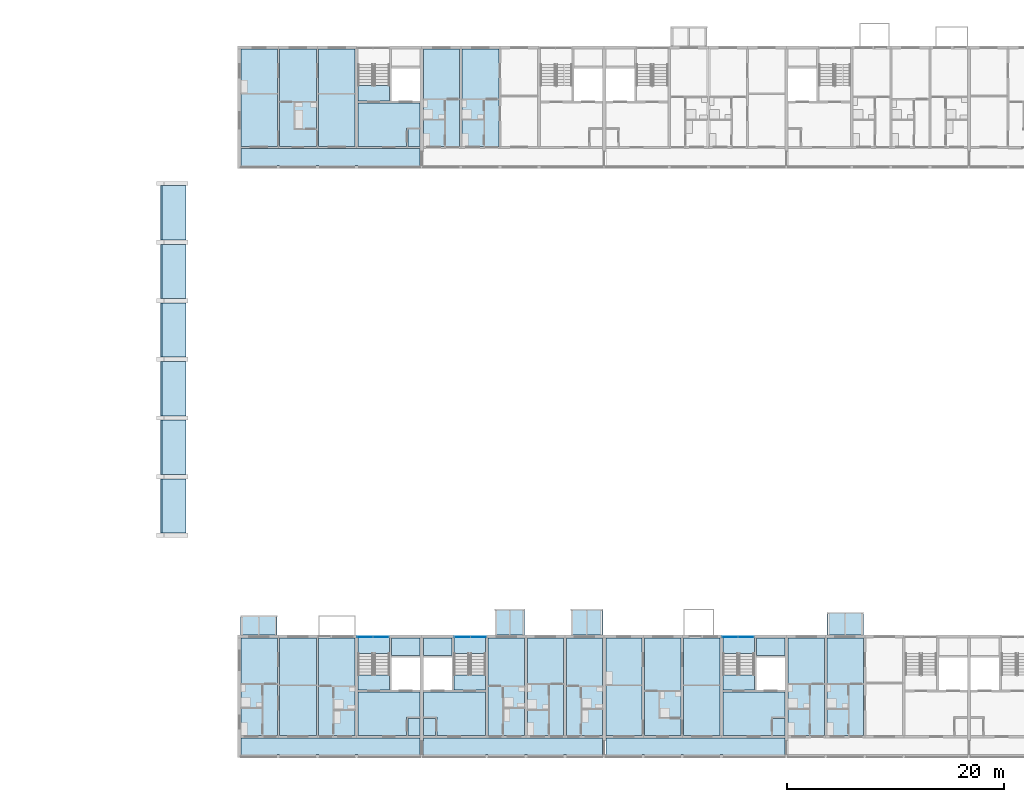
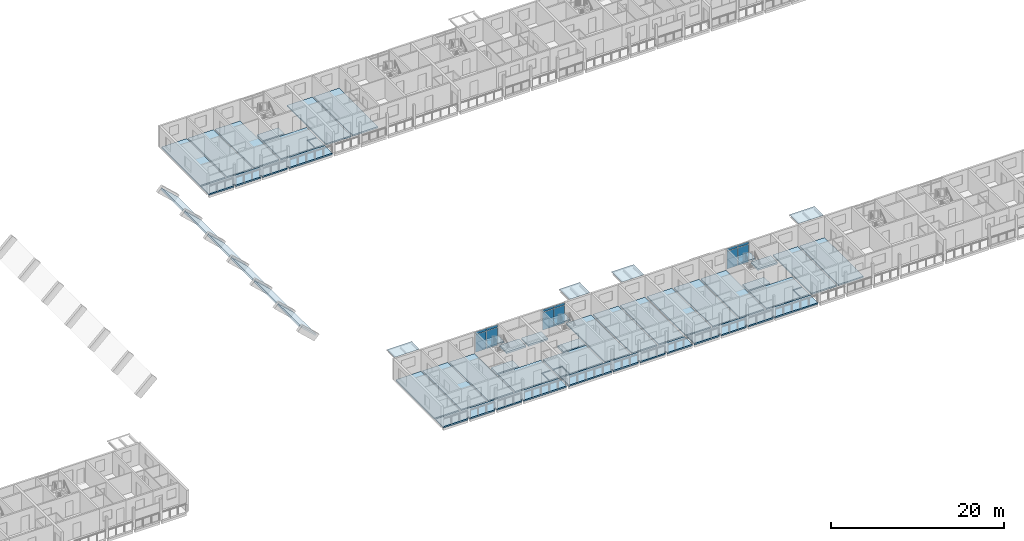
# One storey, part 27 of 98: 48 slabs, 12 plates, 6 elements without a shape of their own.
"""IFC4 building model written with IfcOpenShell, lengths in metres."""

from ifc_helpers import new_model, si_unit, direction, frame, origin, origin_2d, place, context, subcontext, project, spatial, polyline, rectangle, outline, extrude, material, layer, layer_set, type_object, element, aggregate, save


model = new_model("IFC4")

# Units and contexts
model_context = context("Model", 3, precision=1e-05, world=origin(), true_north=direction((0.0, 1.0)))
body_context = subcontext(model_context, "Body", "Model", "MODEL_VIEW")
ifc_project = project(units=[si_unit("LENGTHUNIT", "METRE"), si_unit("AREAUNIT", "SQUARE_METRE"), si_unit("VOLUMEUNIT", "CUBIC_METRE"), si_unit("PLANEANGLEUNIT", "RADIAN"), si_unit("MASSUNIT", "GRAM", prefix="KILO")], contexts=[model_context])

# Site, building, storey
site_placement = place(None, origin())
site = spatial("IfcSite", under=ifc_project, at=site_placement, CompositionType="ELEMENT")
building_placement = place(site_placement, origin())
building = spatial("IfcBuilding", under=site, at=building_placement, Name="Ridgestep Commons", CompositionType="ELEMENT")
storey_placement = place(building_placement, frame((0.0, 0.0, 12.0)))
storey = spatial("IfcBuildingStorey", under=building, at=storey_placement, Name="L04", CompositionType="ELEMENT", Elevation=12.0)

# Slabs
ifc_material_1 = material(Name="Precast concrete C40/50", Category="concrete")
ifc_layer_1 = layer(ifc_material_1, 0.199951171875)
ifc_layer_set_1 = layer_set([ifc_layer_1], Name="Gallery slab 200")
slab_type_1 = type_object("IfcSlabType", Name="Gallery slab 200", PredefinedType="FLOOR", material=ifc_layer_set_1)
slab_1_placement = place(storey_placement, frame((0.0, 0.0, -0.199951171875)))
element("IfcSlab", 1, at=slab_1_placement, inside=storey, type_object=slab_type_1, Name="Gallery slab C1 L04", PredefinedType="FLOOR", context=body_context, shape_type="SweptSolid", body=[
    extrude(outline(polyline([(163.449951171875, 67.800048828125), (146.949951171875, 67.800048828125), (146.949951171875, 66.0), (150.27490234375, 66.0), (150.27490234375, 66.25), (150.52490234375, 66.25), (150.52490234375, 66.0), (153.875, 66.0), (153.875, 66.25), (154.125, 66.25), (154.125, 66.0), (157.47509765625, 66.0), (157.47509765625, 66.25), (157.72509765625, 66.25), (157.72509765625, 66.0), (163.449951171875, 66.0), (163.449951171875, 67.800048828125)])), origin(), (0.0, 0.0, 1.0), 0.199951171875),
])
slab_2_placement = place(storey_placement, frame((0.0, 0.0, -0.199951171875)))
element("IfcSlab", 2, at=slab_2_placement, inside=storey, type_object=slab_type_1, Name="Gallery slab D1 L04", PredefinedType="FLOOR", context=body_context, shape_type="SweptSolid", body=[
    extrude(outline(polyline([(163.449951171875, 13.550048828125), (146.949951171875, 13.550048828125), (146.949951171875, 11.75), (150.27490234375, 11.75), (150.27490234375, 12.0), (150.52490234375, 12.0), (150.52490234375, 11.75), (153.875, 11.75), (153.875, 12.0), (154.125, 12.0), (154.125, 11.75), (157.47509765625, 11.75), (157.47509765625, 12.0), (157.72509765625, 12.0), (157.72509765625, 11.75), (163.449951171875, 11.75), (163.449951171875, 13.550048828125)])), origin(), (0.0, 0.0, 1.0), 0.199951171875),
])
slab_3_placement = place(storey_placement, frame((0.0, 0.0, -0.199951171875)))
element("IfcSlab", 3, at=slab_3_placement, inside=storey, type_object=slab_type_1, Name="Gallery slab D2 L04", PredefinedType="FLOOR", context=body_context, shape_type="SweptSolid", body=[
    extrude(outline(polyline([(180.25, 13.550048828125), (163.75, 13.550048828125), (163.75, 11.75), (169.47509765625, 11.75), (169.47509765625, 12.0), (169.72509765625, 12.0), (169.72509765625, 11.75), (173.074951171875, 11.75), (173.074951171875, 12.0), (173.324951171875, 12.0), (173.324951171875, 11.75), (176.675048828125, 11.75), (176.675048828125, 12.0), (176.925048828125, 12.0), (176.925048828125, 11.75), (180.25, 11.75), (180.25, 13.550048828125)])), origin(), (0.0, 0.0, 1.0), 0.199951171875),
])
slab_4_placement = place(storey_placement, frame((0.0, 0.0, -0.199951171875)))
element("IfcSlab", 4, at=slab_4_placement, inside=storey, type_object=slab_type_1, Name="Gallery slab D3 L04", PredefinedType="FLOOR", context=body_context, shape_type="SweptSolid", body=[
    extrude(outline(polyline([(197.050048828125, 13.550048828125), (180.550048828125, 13.550048828125), (180.550048828125, 11.75), (183.875, 11.75), (183.875, 12.0), (184.125, 12.0), (184.125, 11.75), (187.47509765625, 11.75), (187.47509765625, 12.0), (187.72509765625, 12.0), (187.72509765625, 11.75), (191.074951171875, 11.75), (191.074951171875, 12.0), (191.324951171875, 12.0), (191.324951171875, 11.75), (197.050048828125, 11.75), (197.050048828125, 13.550048828125)])), origin(), (0.0, 0.0, 1.0), 0.199951171875),
])

# Curtain wall, plates
ifc_material_2 = material(Name="Aluminium 6063-T6 and glass", Category="aluminium")
curtain_wall_type = type_object("IfcCurtainWallType", Name="Curtain wall stair strip", PredefinedType="NOTDEFINED", material=ifc_material_2)
curtain_wall_1_placement = place(storey_placement, origin())
curtain_wall_1 = element("IfcCurtainWall", 5, at=curtain_wall_1_placement, inside=storey, type_object=curtain_wall_type, Name="Curtain wall D1C level 04", PredefinedType="NOTDEFINED")
ifc_material_3 = material(Name="Glass laminated 6/16/6 low-emissivity", Category="glass")
ifc_layer_2 = layer(ifc_material_3, 0.028076171875)
ifc_layer_set_2 = layer_set([ifc_layer_2], Name="Glazing panel 28")
plate_type_1 = type_object("IfcPlateType", Name="Glazing panel 28", PredefinedType="CURTAIN_PANEL", material=ifc_layer_set_2)
plate_1_placement = place(storey_placement, frame((158.371337890625, 22.830078125, 0.06005859375), z_axis=(0.0, 0.0, 1.0), x_axis=(1.0, 0.0, 0.0)))
plate_1 = element("IfcPlate", 6, at=plate_1_placement, type_object=plate_type_1, Name="CW1 panel 1.1", PredefinedType="CURTAIN_PANEL", context=body_context, shape_type="SweptSolid", body=[
    extrude(rectangle(XDim=1.422607421875, YDim=0.028076171875, at=origin_2d()), origin(), (0.0, 0.0, 1.0), 2.5),
])
plate_2_placement = place(storey_placement, frame((159.853759765625, 22.830078125, 0.06005859375), z_axis=(0.0, 0.0, 1.0), x_axis=(1.0, 0.0, 0.0)))
plate_2 = element("IfcPlate", 7, at=plate_2_placement, type_object=plate_type_1, Name="CW1 panel 2.1", PredefinedType="CURTAIN_PANEL", context=body_context, shape_type="SweptSolid", body=[
    extrude(rectangle(XDim=1.422607421875, YDim=0.028076171875, at=origin_2d()), origin(), (0.0, 0.0, 1.0), 2.5),
])

curtain_wall_2_placement = place(storey_placement, origin())
curtain_wall_2 = element("IfcCurtainWall", 8, at=curtain_wall_2_placement, inside=storey, type_object=curtain_wall_type, Name="Curtain wall D2C level 04", PredefinedType="NOTDEFINED")
plate_3_placement = place(storey_placement, frame((167.34619140625, 22.830078125, 0.06005859375), z_axis=(0.0, 0.0, 1.0), x_axis=(1.0, 0.0, 0.0)))
plate_3 = element("IfcPlate", 9, at=plate_3_placement, type_object=plate_type_1, Name="CW1 panel 1.1", PredefinedType="CURTAIN_PANEL", context=body_context, shape_type="SweptSolid", body=[
    extrude(rectangle(XDim=1.422607421875, YDim=0.028076171875, at=origin_2d()), origin(), (0.0, 0.0, 1.0), 2.5),
])
plate_4_placement = place(storey_placement, frame((168.828857421875, 22.830078125, 0.06005859375), z_axis=(0.0, 0.0, 1.0), x_axis=(1.0, 0.0, 0.0)))
plate_4 = element("IfcPlate", 10, at=plate_4_placement, type_object=plate_type_1, Name="CW1 panel 2.1", PredefinedType="CURTAIN_PANEL", context=body_context, shape_type="SweptSolid", body=[
    extrude(rectangle(XDim=1.422607421875, YDim=0.028076171875, at=origin_2d()), origin(), (0.0, 0.0, 1.0), 2.5),
])

curtain_wall_3_placement = place(storey_placement, origin())
curtain_wall_3 = element("IfcCurtainWall", 11, at=curtain_wall_3_placement, inside=storey, type_object=curtain_wall_type, Name="Curtain wall D3C level 04", PredefinedType="NOTDEFINED")
plate_5_placement = place(storey_placement, frame((191.97119140625, 22.830078125, 0.06005859375), z_axis=(0.0, 0.0, 1.0), x_axis=(1.0, 0.0, 0.0)))
plate_5 = element("IfcPlate", 12, at=plate_5_placement, type_object=plate_type_1, Name="CW1 panel 1.1", PredefinedType="CURTAIN_PANEL", context=body_context, shape_type="SweptSolid", body=[
    extrude(rectangle(XDim=1.422607421875, YDim=0.028076171875, at=origin_2d()), origin(), (0.0, 0.0, 1.0), 2.5),
])
plate_6_placement = place(storey_placement, frame((193.453857421875, 22.830078125, 0.06005859375), z_axis=(0.0, 0.0, 1.0), x_axis=(1.0, 0.0, 0.0)))
plate_6 = element("IfcPlate", 13, at=plate_6_placement, type_object=plate_type_1, Name="CW1 panel 2.1", PredefinedType="CURTAIN_PANEL", context=body_context, shape_type="SweptSolid", body=[
    extrude(rectangle(XDim=1.422607421875, YDim=0.028076171875, at=origin_2d()), origin(), (0.0, 0.0, 1.0), 2.5),
])

# Slabs
ifc_material_4 = material(Name="Precast concrete C50/60", Category="concrete")
ifc_layer_3 = layer(ifc_material_4, 0.199951171875)
ifc_layer_set_3 = layer_set([ifc_layer_3], Name="Hall roof plank 200")
slab_type_2 = type_object("IfcSlabType", Name="Hall roof plank 200", PredefinedType="ROOF", material=ifc_layer_set_3)
for number, where, z_axis, x_axis, name in (
    (14, (139.68701171875, 32.39990234375, 4.385986328125), (0.680984042462, 0.0, 0.732298254751), (0.732298254751, 0.0, -0.680984042462), "Hall barrel vault panel 10"),
    (15, (139.68701171875, 37.800048828125, 4.385986328125), (0.680984042462, 0.0, 0.732298254751), (0.732298254751, 0.0, -0.680984042462), "Hall barrel vault panel 22"),
    (16, (139.68701171875, 43.199951171875, 4.385986328125), (0.680984042462, 0.0, 0.732298254751), (0.732298254751, 0.0, -0.680984042462), "Hall barrel vault panel 34"),
    (17, (139.68701171875, 48.60009765625, 4.385986328125), (0.680984042462, 0.0, 0.732298254751), (0.732298254751, 0.0, -0.680984042462), "Hall barrel vault panel 46"),
    (18, (139.68701171875, 54.0, 4.385986328125), (0.680984042462, 0.0, 0.732298254751), (0.732298254751, 0.0, -0.680984042462), "Hall barrel vault panel 58"),
    (19, (139.68701171875, 59.39990234375, 4.385986328125), (0.680984042462, 0.0, 0.732298254751), (0.732298254751, 0.0, -0.680984042462), "Hall barrel vault panel 70"),
):
    element("IfcSlab", number, at=place(storey_placement, frame(where, z_axis=z_axis, x_axis=x_axis)), inside=storey, type_object=slab_type_2, Name=name, PredefinedType="ROOF", context=body_context, shape_type="SweptSolid", body=[
        extrude(outline(polyline([(0.0, 0.0), (3.021176589449583, 0.0), (3.021176589449583, 5.0), (0.0, 5.0), (0.0, 0.0)])), origin(), (0.0, 0.0, -1.0), 0.199951171875),
    ])
ifc_material_5 = material(Name="Precast concrete C50/60", Category="concrete")
ifc_layer_4 = layer(ifc_material_5, 0.199951171875)
ifc_layer_set_4 = layer_set([ifc_layer_4], Name="Hollow-core plank 200")
slab_type_3 = type_object("IfcSlabType", Name="Hollow-core plank 200", PredefinedType="FLOOR", material=ifc_layer_set_4)
slab_5_placement = place(storey_placement, frame((0.0, 0.0, -0.199951171875)))
element("IfcSlab", 20, at=slab_5_placement, inside=storey, type_object=slab_type_3, Name="Floor plank C1T1 L04", PredefinedType="FLOOR", context=body_context, shape_type="SweptSolid", body=[
    extrude(outline(polyline([(150.300048828125, 68.0), (150.300048828125, 77.0), (146.949951171875, 77.0), (146.949951171875, 68.0), (150.300048828125, 68.0)])), origin(), (0.0, 0.0, 1.0), 0.199951171875),
])
slab_6_placement = place(storey_placement, frame((0.0, 0.0, -0.199951171875)))
element("IfcSlab", 21, at=slab_6_placement, inside=storey, type_object=slab_type_3, Name="Floor plank C1T2 L04", PredefinedType="FLOOR", context=body_context, shape_type="SweptSolid", body=[
    extrude(outline(polyline([(153.89990234375, 68.0), (153.89990234375, 77.0), (150.5, 77.0), (150.5, 68.0), (153.89990234375, 68.0)])), origin(), (0.0, 0.0, 1.0), 0.199951171875),
])
slab_7_placement = place(storey_placement, frame((0.0, 0.0, -0.199951171875)))
element("IfcSlab", 22, at=slab_7_placement, inside=storey, type_object=slab_type_3, Name="Floor plank C1T3 L04", PredefinedType="FLOOR", context=body_context, shape_type="SweptSolid", body=[
    extrude(outline(polyline([(157.47509765625, 68.0), (157.47509765625, 77.0), (154.10009765625, 77.0), (154.10009765625, 68.0), (157.47509765625, 68.0)])), origin(), (0.0, 0.0, 1.0), 0.199951171875),
])
slab_8_placement = place(storey_placement, frame((0.0, 0.0, -0.199951171875)))
element("IfcSlab", 23, at=slab_8_placement, inside=storey, type_object=slab_type_3, Name="Floor plank C2T1 L04", PredefinedType="FLOOR", context=body_context, shape_type="SweptSolid", body=[
    extrude(outline(polyline([(167.10009765625, 68.0), (167.10009765625, 77.0), (163.75, 77.0), (163.75, 68.0), (167.10009765625, 68.0)])), origin(), (0.0, 0.0, 1.0), 0.199951171875),
])
slab_9_placement = place(storey_placement, frame((0.0, 0.0, -0.199951171875)))
element("IfcSlab", 24, at=slab_9_placement, inside=storey, type_object=slab_type_3, Name="Floor plank C2T2 L04", PredefinedType="FLOOR", context=body_context, shape_type="SweptSolid", body=[
    extrude(outline(polyline([(170.699951171875, 68.0), (170.699951171875, 77.0), (167.300048828125, 77.0), (167.300048828125, 68.0), (170.699951171875, 68.0)])), origin(), (0.0, 0.0, 1.0), 0.199951171875),
])
slab_10_placement = place(storey_placement, frame((0.0, 0.0, -0.199951171875)))
element("IfcSlab", 25, at=slab_10_placement, inside=storey, type_object=slab_type_3, Name="Floor plank D1T1 L04", PredefinedType="FLOOR", context=body_context, shape_type="SweptSolid", body=[
    extrude(outline(polyline([(150.300048828125, 13.75), (150.300048828125, 22.75), (146.949951171875, 22.75), (146.949951171875, 13.75), (150.300048828125, 13.75)])), origin(), (0.0, 0.0, 1.0), 0.199951171875),
])
slab_11_placement = place(storey_placement, frame((0.0, 0.0, -0.199951171875)))
element("IfcSlab", 26, at=slab_11_placement, inside=storey, type_object=slab_type_3, Name="Floor plank D1T2 L04", PredefinedType="FLOOR", context=body_context, shape_type="SweptSolid", body=[
    extrude(outline(polyline([(153.89990234375, 13.75), (153.89990234375, 22.75), (150.5, 22.75), (150.5, 13.75), (153.89990234375, 13.75)])), origin(), (0.0, 0.0, 1.0), 0.199951171875),
])
slab_12_placement = place(storey_placement, frame((0.0, 0.0, -0.199951171875)))
element("IfcSlab", 27, at=slab_12_placement, inside=storey, type_object=slab_type_3, Name="Floor plank D1T3 L04", PredefinedType="FLOOR", context=body_context, shape_type="SweptSolid", body=[
    extrude(outline(polyline([(157.47509765625, 13.75), (157.47509765625, 22.75), (154.10009765625, 22.75), (154.10009765625, 13.75), (157.47509765625, 13.75)])), origin(), (0.0, 0.0, 1.0), 0.199951171875),
])
slab_13_placement = place(storey_placement, frame((0.0, 0.0, -0.199951171875)))
element("IfcSlab", 28, at=slab_13_placement, inside=storey, type_object=slab_type_3, Name="Floor plank D2T3 L04", PredefinedType="FLOOR", context=body_context, shape_type="SweptSolid", body=[
    extrude(outline(polyline([(173.074951171875, 13.75), (173.074951171875, 22.75), (169.72509765625, 22.75), (169.72509765625, 13.75), (173.074951171875, 13.75)])), origin(), (0.0, 0.0, 1.0), 0.199951171875),
])
slab_14_placement = place(storey_placement, frame((0.0, 0.0, -0.199951171875)))
element("IfcSlab", 29, at=slab_14_placement, inside=storey, type_object=slab_type_3, Name="Floor plank D2T2 L04", PredefinedType="FLOOR", context=body_context, shape_type="SweptSolid", body=[
    extrude(outline(polyline([(176.675048828125, 13.75), (176.675048828125, 22.75), (173.324951171875, 22.75), (173.324951171875, 13.75), (176.675048828125, 13.75)])), origin(), (0.0, 0.0, 1.0), 0.199951171875),
])
slab_15_placement = place(storey_placement, frame((0.0, 0.0, -0.199951171875)))
element("IfcSlab", 30, at=slab_15_placement, inside=storey, type_object=slab_type_3, Name="Floor plank D2T1 L04", PredefinedType="FLOOR", context=body_context, shape_type="SweptSolid", body=[
    extrude(outline(polyline([(180.25, 13.75), (180.25, 22.75), (176.925048828125, 22.75), (176.925048828125, 13.75), (180.25, 13.75)])), origin(), (0.0, 0.0, 1.0), 0.199951171875),
])
slab_16_placement = place(storey_placement, frame((0.0, 0.0, -0.199951171875)))
element("IfcSlab", 31, at=slab_16_placement, inside=storey, type_object=slab_type_3, Name="Floor plank D3T1 L04", PredefinedType="FLOOR", context=body_context, shape_type="SweptSolid", body=[
    extrude(outline(polyline([(183.875, 13.75), (183.875, 22.75), (180.550048828125, 22.75), (180.550048828125, 13.75), (183.875, 13.75)])), origin(), (0.0, 0.0, 1.0), 0.199951171875),
])
slab_17_placement = place(storey_placement, frame((0.0, 0.0, -0.199951171875)))
element("IfcSlab", 32, at=slab_17_placement, inside=storey, type_object=slab_type_3, Name="Floor plank D3T2 L04", PredefinedType="FLOOR", context=body_context, shape_type="SweptSolid", body=[
    extrude(outline(polyline([(187.47509765625, 13.75), (187.47509765625, 22.75), (184.125, 22.75), (184.125, 13.75), (187.47509765625, 13.75)])), origin(), (0.0, 0.0, 1.0), 0.199951171875),
])
slab_18_placement = place(storey_placement, frame((0.0, 0.0, -0.199951171875)))
element("IfcSlab", 33, at=slab_18_placement, inside=storey, type_object=slab_type_3, Name="Floor plank D3T3 L04", PredefinedType="FLOOR", context=body_context, shape_type="SweptSolid", body=[
    extrude(outline(polyline([(191.074951171875, 13.75), (191.074951171875, 22.75), (187.72509765625, 22.75), (187.72509765625, 13.75), (191.074951171875, 13.75)])), origin(), (0.0, 0.0, 1.0), 0.199951171875),
])
slab_19_placement = place(storey_placement, frame((0.0, 0.0, -0.199951171875)))
element("IfcSlab", 34, at=slab_19_placement, inside=storey, type_object=slab_type_3, Name="Floor plank D4T1 L04", PredefinedType="FLOOR", context=body_context, shape_type="SweptSolid", body=[
    extrude(outline(polyline([(200.675048828125, 13.75), (200.675048828125, 22.75), (197.35009765625, 22.75), (197.35009765625, 13.75), (200.675048828125, 13.75)])), origin(), (0.0, 0.0, 1.0), 0.199951171875),
])
slab_20_placement = place(storey_placement, frame((0.0, 0.0, -0.199951171875)))
element("IfcSlab", 35, at=slab_20_placement, inside=storey, type_object=slab_type_3, Name="Floor plank D4T2 L04", PredefinedType="FLOOR", context=body_context, shape_type="SweptSolid", body=[
    extrude(outline(polyline([(204.27490234375, 13.75), (204.27490234375, 22.75), (200.925048828125, 22.75), (200.925048828125, 13.75), (204.27490234375, 13.75)])), origin(), (0.0, 0.0, 1.0), 0.199951171875),
])
ifc_material_6 = material(Name="Precast concrete C50/60", Category="concrete")
ifc_layer_5 = layer(ifc_material_6, 0.25)
ifc_layer_set_5 = layer_set([ifc_layer_5], Name="Hollow-core plank 250")
slab_type_4 = type_object("IfcSlabType", Name="Hollow-core plank 250", PredefinedType="FLOOR", material=ifc_layer_set_5)
slab_21_placement = place(storey_placement, frame((0.0, 0.0, -0.25)))
element("IfcSlab", 36, at=slab_21_placement, inside=storey, type_object=slab_type_4, Name="Floor plank C1C L04", PredefinedType="FLOOR", context=body_context, shape_type="SweptSolid", body=[
    extrude(outline(polyline([(162.320068359375, 69.719970703125), (163.449951171875, 69.719970703125), (163.449951171875, 72.0), (157.72509765625, 72.0), (157.72509765625, 68.0), (162.199951171875, 68.0), (162.199951171875, 69.719970703125), (162.320068359375, 69.719970703125)])), origin(), (0.0, 0.0, 1.0), 0.25),
])
slab_22_placement = place(storey_placement, frame((0.0, 0.0, -0.25)))
element("IfcSlab", 37, at=slab_22_placement, inside=storey, type_object=slab_type_4, Name="Floor plank C1C L04", PredefinedType="FLOOR", context=body_context, shape_type="SweptSolid", body=[
    extrude(outline(polyline([(160.625, 72.199951171875), (160.625, 73.60009765625), (157.72509765625, 73.60009765625), (157.72509765625, 72.199951171875), (160.625, 72.199951171875)])), origin(), (0.0, 0.0, 1.0), 0.25),
])
slab_23_placement = place(storey_placement, frame((0.0, 0.0, -0.25)))
element("IfcSlab", 38, at=slab_23_placement, inside=storey, type_object=slab_type_4, Name="Floor plank C1C L04", PredefinedType="FLOOR", context=body_context, shape_type="SweptSolid", body=[
    extrude(outline(polyline([(162.320068359375, 68.0), (163.449951171875, 68.0), (163.449951171875, 69.60009765625), (162.320068359375, 69.60009765625), (162.320068359375, 68.0)])), origin(), (0.0, 0.0, 1.0), 0.25),
])
slab_24_placement = place(storey_placement, frame((0.0, 0.0, -0.25)))
element("IfcSlab", 39, at=slab_24_placement, inside=storey, type_object=slab_type_4, Name="Floor plank D1C L04", PredefinedType="FLOOR", context=body_context, shape_type="SweptSolid", body=[
    extrude(outline(polyline([(162.320068359375, 15.469970703125), (163.449951171875, 15.469970703125), (163.449951171875, 17.75), (157.72509765625, 17.75), (157.72509765625, 13.75), (162.199951171875, 13.75), (162.199951171875, 15.469970703125), (162.320068359375, 15.469970703125)])), origin(), (0.0, 0.0, 1.0), 0.25),
])
slab_25_placement = place(storey_placement, frame((0.0, 0.0, -0.25)))
element("IfcSlab", 40, at=slab_25_placement, inside=storey, type_object=slab_type_4, Name="Floor plank D1C L04", PredefinedType="FLOOR", context=body_context, shape_type="SweptSolid", body=[
    extrude(outline(polyline([(163.449951171875, 21.14990234375), (163.449951171875, 22.75), (160.824951171875, 22.75), (160.824951171875, 21.14990234375), (163.449951171875, 21.14990234375)])), origin(), (0.0, 0.0, 1.0), 0.25),
])
slab_26_placement = place(storey_placement, frame((0.0, 0.0, -0.25)))
element("IfcSlab", 41, at=slab_26_placement, inside=storey, type_object=slab_type_4, Name="Floor plank D1C L04", PredefinedType="FLOOR", context=body_context, shape_type="SweptSolid", body=[
    extrude(outline(polyline([(160.625, 17.949951171875), (160.625, 19.35009765625), (157.72509765625, 19.35009765625), (157.72509765625, 17.949951171875), (160.625, 17.949951171875)])), origin(), (0.0, 0.0, 1.0), 0.25),
])
slab_27_placement = place(storey_placement, frame((0.0, 0.0, -0.25)))
element("IfcSlab", 42, at=slab_27_placement, inside=storey, type_object=slab_type_4, Name="Floor plank D1C L04", PredefinedType="FLOOR", context=body_context, shape_type="SweptSolid", body=[
    extrude(outline(polyline([(162.320068359375, 13.75), (163.449951171875, 13.75), (163.449951171875, 15.35009765625), (162.320068359375, 15.35009765625), (162.320068359375, 13.75)])), origin(), (0.0, 0.0, 1.0), 0.25),
])
slab_28_placement = place(storey_placement, frame((0.0, 0.0, -0.25)))
element("IfcSlab", 43, at=slab_28_placement, inside=storey, type_object=slab_type_4, Name="Floor plank D2C L04", PredefinedType="FLOOR", context=body_context, shape_type="SweptSolid", body=[
    extrude(outline(polyline([(165.0, 13.75), (169.47509765625, 13.75), (169.47509765625, 17.75), (163.75, 17.75), (163.75, 15.469970703125), (164.8798828125, 15.469970703125), (165.0, 15.469970703125), (165.0, 13.75)])), origin(), (0.0, 0.0, 1.0), 0.25),
])
slab_29_placement = place(storey_placement, frame((0.0, 0.0, -0.25)))
element("IfcSlab", 44, at=slab_29_placement, inside=storey, type_object=slab_type_4, Name="Floor plank D2C L04", PredefinedType="FLOOR", context=body_context, shape_type="SweptSolid", body=[
    extrude(outline(polyline([(166.375, 22.75), (163.75, 22.75), (163.75, 21.14990234375), (166.375, 21.14990234375), (166.375, 22.75)])), origin(), (0.0, 0.0, 1.0), 0.25),
])
slab_30_placement = place(storey_placement, frame((0.0, 0.0, -0.25)))
element("IfcSlab", 45, at=slab_30_placement, inside=storey, type_object=slab_type_4, Name="Floor plank D2C L04", PredefinedType="FLOOR", context=body_context, shape_type="SweptSolid", body=[
    extrude(outline(polyline([(169.47509765625, 17.949951171875), (169.47509765625, 19.35009765625), (166.574951171875, 19.35009765625), (166.574951171875, 17.949951171875), (169.47509765625, 17.949951171875)])), origin(), (0.0, 0.0, 1.0), 0.25),
])
slab_31_placement = place(storey_placement, frame((0.0, 0.0, -0.25)))
element("IfcSlab", 46, at=slab_31_placement, inside=storey, type_object=slab_type_4, Name="Floor plank D2C L04", PredefinedType="FLOOR", context=body_context, shape_type="SweptSolid", body=[
    extrude(outline(polyline([(164.8798828125, 15.35009765625), (163.75, 15.35009765625), (163.75, 13.75), (164.8798828125, 13.75), (164.8798828125, 15.35009765625)])), origin(), (0.0, 0.0, 1.0), 0.25),
])
slab_32_placement = place(storey_placement, frame((0.0, 0.0, -0.25)))
element("IfcSlab", 47, at=slab_32_placement, inside=storey, type_object=slab_type_4, Name="Floor plank D3C L04", PredefinedType="FLOOR", context=body_context, shape_type="SweptSolid", body=[
    extrude(outline(polyline([(195.919921875, 15.469970703125), (197.050048828125, 15.469970703125), (197.050048828125, 17.75), (191.324951171875, 17.75), (191.324951171875, 13.75), (195.800048828125, 13.75), (195.800048828125, 15.469970703125), (195.919921875, 15.469970703125)])), origin(), (0.0, 0.0, 1.0), 0.25),
])
slab_33_placement = place(storey_placement, frame((0.0, 0.0, -0.25)))
element("IfcSlab", 48, at=slab_33_placement, inside=storey, type_object=slab_type_4, Name="Floor plank D3C L04", PredefinedType="FLOOR", context=body_context, shape_type="SweptSolid", body=[
    extrude(outline(polyline([(197.050048828125, 21.14990234375), (197.050048828125, 22.75), (194.425048828125, 22.75), (194.425048828125, 21.14990234375), (197.050048828125, 21.14990234375)])), origin(), (0.0, 0.0, 1.0), 0.25),
])
slab_34_placement = place(storey_placement, frame((0.0, 0.0, -0.25)))
element("IfcSlab", 49, at=slab_34_placement, inside=storey, type_object=slab_type_4, Name="Floor plank D3C L04", PredefinedType="FLOOR", context=body_context, shape_type="SweptSolid", body=[
    extrude(outline(polyline([(194.22509765625, 17.949951171875), (194.22509765625, 19.35009765625), (191.324951171875, 19.35009765625), (191.324951171875, 17.949951171875), (194.22509765625, 17.949951171875)])), origin(), (0.0, 0.0, 1.0), 0.25),
])
slab_35_placement = place(storey_placement, frame((0.0, 0.0, -0.25)))
element("IfcSlab", 50, at=slab_35_placement, inside=storey, type_object=slab_type_4, Name="Floor plank D3C L04", PredefinedType="FLOOR", context=body_context, shape_type="SweptSolid", body=[
    extrude(outline(polyline([(195.919921875, 13.75), (197.050048828125, 13.75), (197.050048828125, 15.35009765625), (195.919921875, 15.35009765625), (195.919921875, 13.75)])), origin(), (0.0, 0.0, 1.0), 0.25),
])

# Plate
ifc_material_7 = material(Name="Aluminium 6063-T6 and mineral wool", Category="aluminium")
ifc_layer_6 = layer(ifc_material_7, 0.0400390625)
ifc_layer_set_6 = layer_set([ifc_layer_6], Name="Spandrel panel 40")
plate_type_2 = type_object("IfcPlateType", Name="Spandrel panel 40", PredefinedType="CURTAIN_PANEL", material=ifc_layer_set_6)
plate_7_placement = place(storey_placement, frame((158.371337890625, 22.830078125, 2.6201171875), z_axis=(0.0, 0.0, 1.0), x_axis=(1.0, 0.0, 0.0)))
plate_7 = element("IfcPlate", 51, at=plate_7_placement, type_object=plate_type_2, Name="CW1 panel 1.2", PredefinedType="CURTAIN_PANEL", context=body_context, shape_type="SweptSolid", body=[
    extrude(rectangle(XDim=1.422607421875, YDim=0.0400390625, at=origin_2d()), origin(), (0.0, 0.0, 1.0), 0.320068359375),
])

plate_8_placement = place(storey_placement, frame((159.853759765625, 22.830078125, 2.6201171875), z_axis=(0.0, 0.0, 1.0), x_axis=(1.0, 0.0, 0.0)))
plate_8 = element("IfcPlate", 52, at=plate_8_placement, type_object=plate_type_2, Name="CW1 panel 2.2", PredefinedType="CURTAIN_PANEL", context=body_context, shape_type="SweptSolid", body=[
    extrude(rectangle(XDim=1.422607421875, YDim=0.0400390625, at=origin_2d()), origin(), (0.0, 0.0, 1.0), 0.320068359375),
])

aggregate(curtain_wall_1, [plate_1, plate_7, plate_2, plate_8])

plate_9_placement = place(storey_placement, frame((167.34619140625, 22.830078125, 2.6201171875), z_axis=(0.0, 0.0, 1.0), x_axis=(1.0, 0.0, 0.0)))
plate_9 = element("IfcPlate", 53, at=plate_9_placement, type_object=plate_type_2, Name="CW1 panel 1.2", PredefinedType="CURTAIN_PANEL", context=body_context, shape_type="SweptSolid", body=[
    extrude(rectangle(XDim=1.422607421875, YDim=0.0400390625, at=origin_2d()), origin(), (0.0, 0.0, 1.0), 0.320068359375),
])

plate_10_placement = place(storey_placement, frame((168.828857421875, 22.830078125, 2.6201171875), z_axis=(0.0, 0.0, 1.0), x_axis=(1.0, 0.0, 0.0)))
plate_10 = element("IfcPlate", 54, at=plate_10_placement, type_object=plate_type_2, Name="CW1 panel 2.2", PredefinedType="CURTAIN_PANEL", context=body_context, shape_type="SweptSolid", body=[
    extrude(rectangle(XDim=1.422607421875, YDim=0.0400390625, at=origin_2d()), origin(), (0.0, 0.0, 1.0), 0.320068359375),
])

aggregate(curtain_wall_2, [plate_3, plate_9, plate_4, plate_10])

plate_11_placement = place(storey_placement, frame((191.97119140625, 22.830078125, 2.6201171875), z_axis=(0.0, 0.0, 1.0), x_axis=(1.0, 0.0, 0.0)))
plate_11 = element("IfcPlate", 55, at=plate_11_placement, type_object=plate_type_2, Name="CW1 panel 1.2", PredefinedType="CURTAIN_PANEL", context=body_context, shape_type="SweptSolid", body=[
    extrude(rectangle(XDim=1.422607421875, YDim=0.0400390625, at=origin_2d()), origin(), (0.0, 0.0, 1.0), 0.320068359375),
])

plate_12_placement = place(storey_placement, frame((193.453857421875, 22.830078125, 2.6201171875), z_axis=(0.0, 0.0, 1.0), x_axis=(1.0, 0.0, 0.0)))
plate_12 = element("IfcPlate", 56, at=plate_12_placement, type_object=plate_type_2, Name="CW1 panel 2.2", PredefinedType="CURTAIN_PANEL", context=body_context, shape_type="SweptSolid", body=[
    extrude(rectangle(XDim=1.422607421875, YDim=0.0400390625, at=origin_2d()), origin(), (0.0, 0.0, 1.0), 0.320068359375),
])

aggregate(curtain_wall_3, [plate_5, plate_11, plate_6, plate_12])

# Stair, slab
ifc_material_8 = material(Name="Precast concrete C40/50", Category="concrete")
stair_type = type_object("IfcStairType", Name="Escape stair 1400", PredefinedType="HALF_TURN_STAIR", material=ifc_material_8)
stair_1_placement = place(storey_placement, origin())
stair_1 = element("IfcStair", 57, at=stair_1_placement, inside=storey, type_object=stair_type, Name="L04 Escape stair D1C", PredefinedType="HALF_TURN_STAIR")
ifc_material_9 = material(Name="Precast concrete C40/50", Category="concrete")
ifc_layer_7 = layer(ifc_material_9, 0.199951171875)
ifc_layer_set_7 = layer_set([ifc_layer_7], Name="Stair landing 200")
slab_type_5 = type_object("IfcSlabType", Name="Stair landing 200", PredefinedType="LANDING", material=ifc_layer_set_7)
slab_36_placement = place(storey_placement, frame((0.0, 0.0, 1.300048828125)))
slab_36 = element("IfcSlab", 58, at=slab_36_placement, type_object=slab_type_5, Name="D1C landing 1", PredefinedType="LANDING", context=body_context, shape_type="SweptSolid", body=[
    extrude(outline(polyline([(160.625, 21.31005859375), (160.625, 22.75), (157.72509765625, 22.75), (157.72509765625, 21.31005859375), (160.625, 21.31005859375)])), origin(), (0.0, 0.0, 1.0), 0.199951171875),
])
aggregate(stair_1, [slab_36])

stair_2_placement = place(storey_placement, origin())
stair_2 = element("IfcStair", 59, at=stair_2_placement, inside=storey, type_object=stair_type, Name="L04 Escape stair D2C", PredefinedType="HALF_TURN_STAIR")
slab_37_placement = place(storey_placement, frame((0.0, 0.0, 1.300048828125)))
slab_37 = element("IfcSlab", 60, at=slab_37_placement, type_object=slab_type_5, Name="D2C landing 1", PredefinedType="LANDING", context=body_context, shape_type="SweptSolid", body=[
    extrude(outline(polyline([(169.47509765625, 21.31005859375), (169.47509765625, 22.75), (166.574951171875, 22.75), (166.574951171875, 21.31005859375), (169.47509765625, 21.31005859375)])), origin(), (0.0, 0.0, 1.0), 0.199951171875),
])
aggregate(stair_2, [slab_37])

stair_3_placement = place(storey_placement, origin())
stair_3 = element("IfcStair", 61, at=stair_3_placement, inside=storey, type_object=stair_type, Name="L04 Escape stair D3C", PredefinedType="HALF_TURN_STAIR")
slab_38_placement = place(storey_placement, frame((0.0, 0.0, 1.300048828125)))
slab_38 = element("IfcSlab", 62, at=slab_38_placement, type_object=slab_type_5, Name="D3C landing 1", PredefinedType="LANDING", context=body_context, shape_type="SweptSolid", body=[
    extrude(outline(polyline([(194.22509765625, 21.31005859375), (194.22509765625, 22.75), (191.324951171875, 22.75), (191.324951171875, 21.31005859375), (194.22509765625, 21.31005859375)])), origin(), (0.0, 0.0, 1.0), 0.199951171875),
])
aggregate(stair_3, [slab_38])

# Slabs
ifc_material_10 = material(Name="Weathering steel S355J2W", Category="steel")
ifc_layer_8 = layer(ifc_material_10, 0.010009765625)
ifc_layer_set_8 = layer_set([ifc_layer_8], Name="Tray 2.8 x 2.4")
slab_type_6 = type_object("IfcSlabType", Name="Tray 2.8 x 2.4", PredefinedType="FLOOR", material=ifc_layer_set_8)
slab_39_placement = place(storey_placement, frame((0.0, 0.0, 2.989990234375)))
element("IfcSlab", 63, at=slab_39_placement, inside=storey, type_object=slab_type_6, Name="Tray deck D2T3-05", PredefinedType="FLOOR", context=body_context, shape_type="SweptSolid", body=[
    extrude(outline(polyline([(170.330078125, 23.0), (173.070068359375, 23.0), (173.070068359375, 25.39990234375), (170.330078125, 25.39990234375), (170.330078125, 23.0)])), origin(), (0.0, 0.0, 1.0), 0.010009765625),
])
ifc_material_11 = material(Name="Weathering steel S355J2W", Category="steel")
ifc_layer_9 = layer(ifc_material_11, 0.010009765625)
ifc_layer_set_9 = layer_set([ifc_layer_9], Name="Tray 3.0 x 2.4")
slab_type_7 = type_object("IfcSlabType", Name="Tray 3.0 x 2.4", PredefinedType="FLOOR", material=ifc_layer_set_9)
slab_40_placement = place(storey_placement, frame((0.0, 0.0, 2.989990234375)))
element("IfcSlab", 64, at=slab_40_placement, inside=storey, type_object=slab_type_7, Name="Tray deck D2T1-05", PredefinedType="FLOOR", context=body_context, shape_type="SweptSolid", body=[
    extrude(outline(polyline([(177.330078125, 23.0), (180.27001953125, 23.0), (180.27001953125, 25.39990234375), (177.330078125, 25.39990234375), (177.330078125, 23.0)])), origin(), (0.0, 0.0, 1.0), 0.010009765625),
])
ifc_material_12 = material(Name="Weathering steel S355J2W", Category="steel")
ifc_layer_10 = layer(ifc_material_12, 0.010009765625)
ifc_layer_set_10 = layer_set([ifc_layer_10], Name="Tray 3.4 x 1.8")
slab_type_8 = type_object("IfcSlabType", Name="Tray 3.4 x 1.8", PredefinedType="FLOOR", material=ifc_layer_set_10)
slab_41_placement = place(storey_placement, frame((0.0, 0.0, 2.989990234375)))
element("IfcSlab", 65, at=slab_41_placement, inside=storey, type_object=slab_type_8, Name="Tray deck D1T1-05", PredefinedType="FLOOR", context=body_context, shape_type="SweptSolid", body=[
    extrude(outline(polyline([(146.929931640625, 23.0), (150.27001953125, 23.0), (150.27001953125, 24.800048828125), (146.929931640625, 24.800048828125), (146.929931640625, 23.0)])), origin(), (0.0, 0.0, 1.0), 0.010009765625),
])
ifc_material_13 = material(Name="Weathering steel S355J2W", Category="steel")
ifc_layer_11 = layer(ifc_material_13, 0.010009765625)
ifc_layer_set_11 = layer_set([ifc_layer_11], Name="Tray 3.4 x 2.1")
slab_type_9 = type_object("IfcSlabType", Name="Tray 3.4 x 2.1", PredefinedType="FLOOR", material=ifc_layer_set_11)
slab_42_placement = place(storey_placement, frame((0.0, 0.0, 2.989990234375)))
element("IfcSlab", 66, at=slab_42_placement, inside=storey, type_object=slab_type_9, Name="Tray deck D4T2-05", PredefinedType="FLOOR", context=body_context, shape_type="SweptSolid", body=[
    extrude(outline(polyline([(200.929931640625, 23.0), (204.27001953125, 23.0), (204.27001953125, 25.10009765625), (200.929931640625, 25.10009765625), (200.929931640625, 23.0)])), origin(), (0.0, 0.0, 1.0), 0.010009765625),
])

save(model, "model.ifc")
